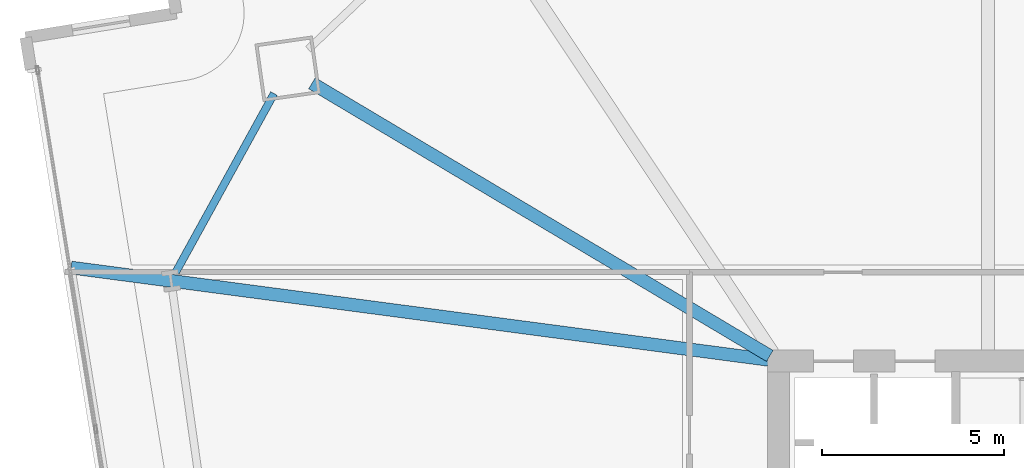
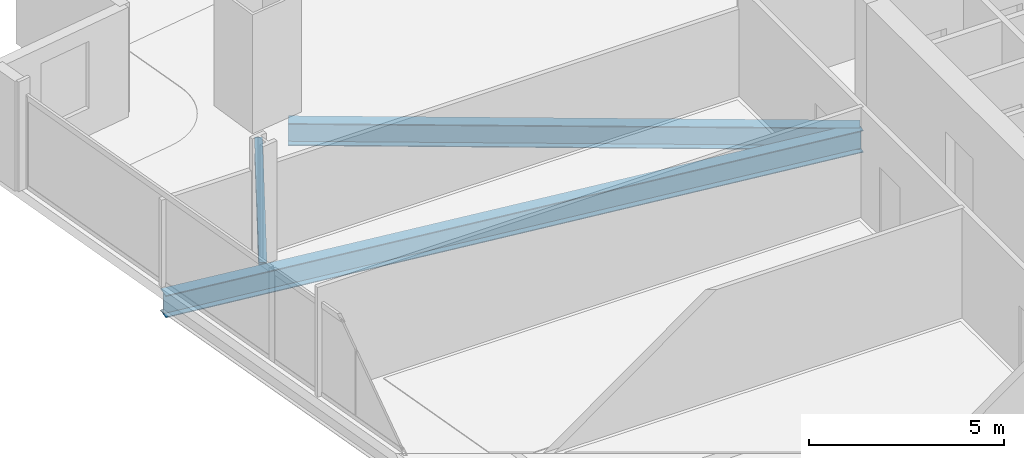
# One storey, part 15 of 33: 3 beams.
"""IFC4 building model written with IfcOpenShell, lengths in metres."""

from ifc_helpers import new_model, si_unit, direction, frame, origin, origin_2d, place, context, subcontext, project, spatial, i_section, extrude, material, material_profile, profile_set, type_object, element, save


model = new_model("IFC4")

# Units and contexts
model_context = context("Model", 3, precision=1e-05, world=origin(), true_north=direction((0.0, 1.0)))
body_context = subcontext(model_context, "Body", "Model", "MODEL_VIEW")
ifc_project = project(units=[si_unit("LENGTHUNIT", "METRE"), si_unit("AREAUNIT", "SQUARE_METRE"), si_unit("VOLUMEUNIT", "CUBIC_METRE"), si_unit("PLANEANGLEUNIT", "RADIAN"), si_unit("MASSUNIT", "GRAM", prefix="KILO")], contexts=[model_context])

# Site, building, storey
site_placement = place(None, origin())
site = spatial("IfcSite", under=ifc_project, at=site_placement, CompositionType="ELEMENT")
building_placement = place(site_placement, origin())
building = spatial("IfcBuilding", under=site, at=building_placement, Name="Haldenkirk Collegiate Tower", CompositionType="ELEMENT")
storey_placement = place(building_placement, frame((0.0, 0.0, 58.949951171875)))
storey = spatial("IfcBuildingStorey", under=building, at=storey_placement, Name="L13", CompositionType="ELEMENT", Elevation=58.949951171875)

# Beams
ifc_material = material(Name="Steel ASTM A992 Grade 50", Category="steel")
ifc_material_profile_1 = material_profile(ifc_material, i_section(OverallWidth=0.35498046875, OverallDepth=0.696044921875, WebThickness=0.015380859375, FlangeThickness=0.02490234375, at=origin_2d()), Name="W27X146")
ifc_profile_set_1 = profile_set([ifc_material_profile_1], Name="Steel ASTM A992 Grade 50")
beam_type_1 = type_object("IfcBeamType", Name="BM-GIRDER-W27X146", PredefinedType="BEAM", material=ifc_profile_set_1)
beam_1_placement = place(storey_placement, frame((14.14990234375, 41.6552734375, -0.657958984375), z_axis=(0.859106056552, -0.511797600225, 0.0), x_axis=(0.511797600225, 0.859106056552, 0.0)))
element("IfcBeam", 1, at=beam_1_placement, inside=storey, type_object=beam_type_1, Name="L13 primary floor girder 04", PredefinedType="BEAM", context=body_context, shape_type="SweptSolid", body=[
    extrude(i_section(OverallWidth=0.35498046875, OverallDepth=0.696044921875, WebThickness=0.015380859375, FlangeThickness=0.02490234375, at=origin_2d()), origin(), (0.0, 0.0, 1.0), 14.677490234375),
])
beam_2_placement = place(storey_placement, frame((7.512451171875, 36.5771484375, -0.657958984375), z_axis=(0.991367968202, -0.131108930368, 0.0), x_axis=(0.131108930368, 0.991367968202, 0.0)))
element("IfcBeam", 2, at=beam_2_placement, inside=storey, type_object=beam_type_1, Name="L13 primary floor girder 14", PredefinedType="BEAM", context=body_context, shape_type="SweptSolid", body=[
    extrude(i_section(OverallWidth=0.35498046875, OverallDepth=0.696044921875, WebThickness=0.015380859375, FlangeThickness=0.02490234375, at=origin_2d()), origin(), (0.0, 0.0, 1.0), 19.377197265625),
])
ifc_material_profile_2 = material_profile(ifc_material, i_section(OverallWidth=0.2119140625, OverallDepth=0.5439453125, WebThickness=0.01318359375, FlangeThickness=0.021240234375, at=origin_2d()), Name="W21X83")
ifc_profile_set_2 = profile_set([ifc_material_profile_2], Name="Steel ASTM A992 Grade 50")
beam_type_2 = type_object("IfcBeamType", Name="BM-SPANDREL-W21X83", PredefinedType="SPANDREL", material=ifc_profile_set_2)
beam_3_placement = place(storey_placement, frame((13.10400390625, 41.37109375, -0.58203125), z_axis=(-0.482003753736, -0.876169151126, 0.0), x_axis=(0.876169151126, -0.482003753736, 0.0)))
element("IfcBeam", 3, at=beam_3_placement, inside=storey, type_object=beam_type_2, Name="L13 perimeter spandrel beam 13", PredefinedType="SPANDREL", context=body_context, shape_type="SweptSolid", body=[
    extrude(i_section(OverallWidth=0.2119140625, OverallDepth=0.5439453125, WebThickness=0.01318359375, FlangeThickness=0.021240234375, at=origin_2d()), origin(), (0.0, 0.0, 1.0), 5.622802734375),
])

save(model, "model.ifc")
